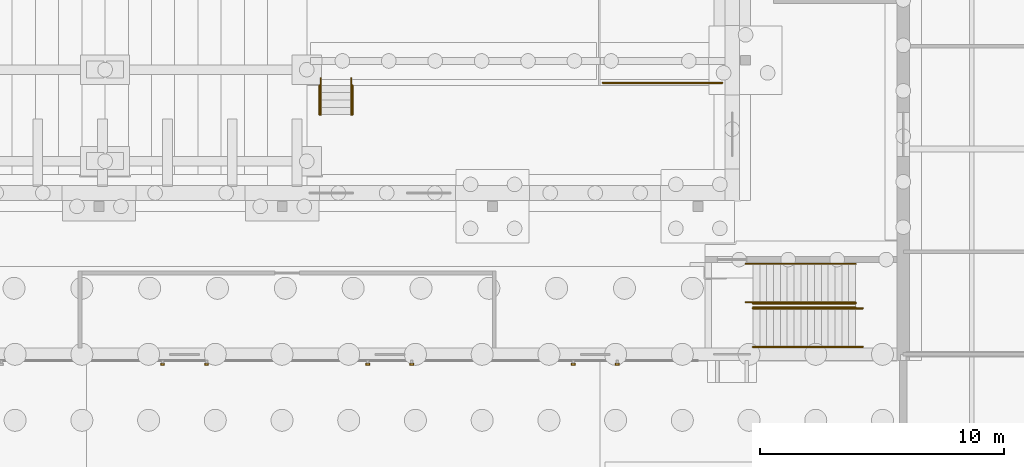
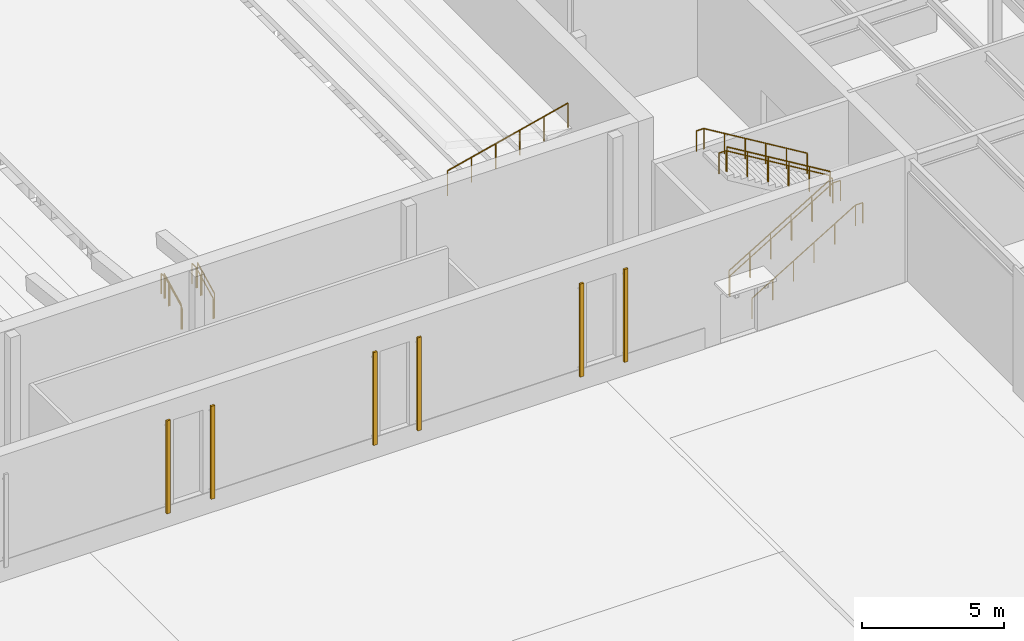
# One storey, part 103 of 127: 11 railings, 6 shading devices.
"""IFC4 building model written with IfcOpenShell, lengths in metres."""

from ifc_helpers import new_model, si_unit, direction, frame, origin, origin_2d, place, context, subcontext, project, spatial, rectangle, circle, extrude, material, type_object, element, save


model = new_model("IFC4")

# Units and contexts
model_context = context("Model", 3, precision=1e-05, world=origin(), true_north=direction((0.0, 1.0)))
body_context = subcontext(model_context, "Body", "Model", "MODEL_VIEW")
ifc_project = project(units=[si_unit("LENGTHUNIT", "METRE"), si_unit("AREAUNIT", "SQUARE_METRE"), si_unit("VOLUMEUNIT", "CUBIC_METRE"), si_unit("PLANEANGLEUNIT", "RADIAN"), si_unit("MASSUNIT", "GRAM", prefix="KILO")], contexts=[model_context])

# Site, building, storey
site_placement = place(None, origin())
site = spatial("IfcSite", under=ifc_project, at=site_placement, CompositionType="ELEMENT")
building_placement = place(site_placement, origin())
building = spatial("IfcBuilding", under=site, at=building_placement, Name="Ljudholm Concert House", CompositionType="ELEMENT")
storey_placement = place(building_placement, origin())
storey = spatial("IfcBuildingStorey", under=building, at=storey_placement, Name="L00", CompositionType="ELEMENT", Elevation=0.0)

# Shading devices
ifc_material_1 = material(Name="Aluminium extrusion with timber-grain PVDF finish", Category="aluminium")
shading_device_type = type_object("IfcShadingDeviceType", Name="FACADE FIN 80x160", PredefinedType="SHUTTER", material=ifc_material_1)
for number, where, z_axis, x_axis, name in (
    (1, (66.10009765625, 53.989990234375, 0.699951171875), (0.0, 0.0, 1.0), (0.0, -1.0, 0.0), "Facade fin"),
    (2, (67.89990234375, 53.989990234375, 0.699951171875), (0.0, 0.0, 1.0), (0.0, -1.0, 0.0), "Facade fin"),
    (3, (74.5, 53.989990234375, 0.699951171875), (0.0, 0.0, 1.0), (0.0, -1.0, 0.0), "Facade fin"),
    (4, (76.300048828125, 53.989990234375, 0.699951171875), (0.0, 0.0, 1.0), (0.0, -1.0, 0.0), "Facade fin"),
    (5, (82.89990234375, 53.989990234375, 0.699951171875), (0.0, 0.0, 1.0), (0.0, -1.0, 0.0), "Facade fin"),
    (6, (84.699951171875, 53.989990234375, 0.699951171875), (0.0, 0.0, 1.0), (0.0, -1.0, 0.0), "Facade fin"),
):
    element("IfcShadingDevice", number, at=place(storey_placement, frame(where, z_axis=z_axis, x_axis=x_axis)), inside=storey, type_object=shading_device_type, Name=name, PredefinedType="SHUTTER", context=body_context, shape_type="SweptSolid", body=[
        extrude(rectangle(XDim=0.080078125, YDim=0.159912109375, at=origin_2d()), origin(), (0.0, 0.0, 1.0), 4.0),
    ])

# Railings
ifc_material_2 = material(Name="Steel ASTM A36", Category="steel")
railing_type_1 = type_object("IfcRailingType", Name="GUARD 1100", PredefinedType="GUARDRAIL", material=ifc_material_2)
railing_1_placement = place(storey_placement, frame((90.25, 56.324951171875, 0.168701171875)))
element("IfcRailing", 7, at=railing_1_placement, inside=storey, type_object=railing_type_1, Name="Guard", PredefinedType="GUARDRAIL", context=body_context, shape_type="SweptSolid", body=[
    extrude(circle(Radius=0.02490234375, at=origin_2d()), frame((0.0, 0.0, 1.0751953125), z_axis=(0.856459004192, 0.0, 0.516215046409), x_axis=(0.0, 1.0, 0.0)), (0.0, 0.0, 1.0), 0.98095703125),
    extrude(circle(Radius=0.02490234375, at=origin_2d()), frame((0.840087890625, 0.0, 1.58154296875), z_axis=(0.856502732318, 0.0, 0.516142489563), x_axis=(0.0, 1.0, 0.0)), (0.0, 0.0, 1.0), 0.98046875),
    extrude(circle(Radius=0.02490234375, at=origin_2d()), frame((1.679931640625, 0.0, 2.08740234375), z_axis=(0.856459004192, 0.0, 0.516215046409), x_axis=(0.0, 1.0, 0.0)), (0.0, 0.0, 1.0), 0.98095703125),
    extrude(circle(Radius=0.02490234375, at=origin_2d()), frame((2.52001953125, 0.0, 2.59375), z_axis=(0.856459004192, 0.0, 0.516215046409), x_axis=(0.0, 1.0, 0.0)), (0.0, 0.0, 1.0), 0.98095703125),
    extrude(circle(Radius=0.02490234375, at=origin_2d()), frame((3.360107421875, 0.0, 3.10009765625), z_axis=(0.856502732318, 0.0, 0.516142489563), x_axis=(0.0, 1.0, 0.0)), (0.0, 0.0, 1.0), 0.98046875),
    extrude(circle(Radius=0.02099609375, at=origin_2d()), origin(), (0.0, 0.0, 1.0), 1.050048828125),
    extrude(circle(Radius=0.02099609375, at=origin_2d()), frame((0.840087890625, 0.0, 0.50634765625)), (0.0, 0.0, 1.0), 1.050048828125),
    extrude(circle(Radius=0.02099609375, at=origin_2d()), frame((1.679931640625, 0.0, 1.012451171875)), (0.0, 0.0, 1.0), 1.050048828125),
    extrude(circle(Radius=0.02099609375, at=origin_2d()), frame((2.52001953125, 0.0, 1.518798828125)), (0.0, 0.0, 1.0), 1.050048828125),
    extrude(circle(Radius=0.02099609375, at=origin_2d()), frame((3.360107421875, 0.0, 2.025146484375)), (0.0, 0.0, 1.0), 1.050048828125),
    extrude(circle(Radius=0.02099609375, at=origin_2d()), frame((4.199951171875, 0.0, 2.53125)), (0.0, 0.0, 1.0), 1.050048828125),
])
railing_2_placement = place(storey_placement, frame((94.449951171875, 56.47509765625, 2.86865234375)))
element("IfcRailing", 8, at=railing_2_placement, inside=storey, type_object=railing_type_1, Name="Guard", PredefinedType="GUARDRAIL", context=body_context, shape_type="SweptSolid", body=[
    extrude(circle(Radius=0.02490234375, at=origin_2d()), frame((0.0, 0.0, 1.0751953125), z_axis=(-0.856392657067, 0.0, 0.516325107778), x_axis=(0.0, -1.0, 0.0)), (0.0, 0.0, 1.0), 0.980712890625),
    extrude(circle(Radius=0.02490234375, at=origin_2d()), frame((-0.83984375, 0.0, 1.58154296875), z_axis=(-0.856459004192, 0.0, 0.516215046409), x_axis=(0.0, -1.0, 0.0)), (0.0, 0.0, 1.0), 0.98095703125),
    extrude(circle(Radius=0.02490234375, at=origin_2d()), frame((-1.679931640625, 0.0, 2.087890625), z_axis=(-0.856569041035, 0.0, 0.516032438845), x_axis=(0.0, -1.0, 0.0)), (0.0, 0.0, 1.0), 0.980712890625),
    extrude(circle(Radius=0.02490234375, at=origin_2d()), frame((-2.52001953125, 0.0, 2.59375), z_axis=(-0.856392657067, 0.0, 0.516325107778), x_axis=(0.0, -1.0, 0.0)), (0.0, 0.0, 1.0), 0.980712890625),
    extrude(circle(Radius=0.02490234375, at=origin_2d()), frame((-3.35986328125, 0.0, 3.10009765625), z_axis=(-0.856569041035, 0.0, 0.516032438845), x_axis=(0.0, -1.0, 0.0)), (0.0, 0.0, 1.0), 0.980712890625),
    extrude(circle(Radius=0.02099609375, at=origin_2d()), origin(), (0.0, 0.0, 1.0), 1.050048828125),
    extrude(circle(Radius=0.02099609375, at=origin_2d()), frame((-0.83984375, 0.0, 0.50634765625)), (0.0, 0.0, 1.0), 1.050048828125),
    extrude(circle(Radius=0.02099609375, at=origin_2d()), frame((-1.679931640625, 0.0, 1.0126953125)), (0.0, 0.0, 1.0), 1.050048828125),
    extrude(circle(Radius=0.02099609375, at=origin_2d()), frame((-2.52001953125, 0.0, 1.518798828125)), (0.0, 0.0, 1.0), 1.050048828125),
    extrude(circle(Radius=0.02099609375, at=origin_2d()), frame((-3.35986328125, 0.0, 2.025146484375)), (0.0, 0.0, 1.0), 1.050048828125),
    extrude(circle(Radius=0.02099609375, at=origin_2d()), frame((-4.199951171875, 0.0, 2.53125)), (0.0, 0.0, 1.0), 1.050048828125),
])
railing_3_placement = place(storey_placement, frame((84.10009765625, 65.5, 1.050048828125)))
element("IfcRailing", 9, at=railing_3_placement, inside=storey, type_object=railing_type_1, Name="Choir seating guard", PredefinedType="GUARDRAIL", context=body_context, shape_type="SweptSolid", body=[
    extrude(circle(Radius=0.02490234375, at=origin_2d()), frame((0.0, 0.0, 1.0751953125), z_axis=(0.971298452577, 0.0, 0.237864070474), x_axis=(0.0, 1.0, 0.0)), (0.0, 0.0, 1.0), 5.044677734375),
    extrude(circle(Radius=0.02099609375, at=origin_2d()), origin(), (0.0, 0.0, 1.0), 1.050048828125),
    extrude(circle(Radius=0.02099609375, at=origin_2d()), frame((0.97998046875, 0.0, 0.239990234375)), (0.0, 0.0, 1.0), 1.050048828125),
    extrude(circle(Radius=0.02099609375, at=origin_2d()), frame((1.9599609375, 0.0, 0.47998046875)), (0.0, 0.0, 1.0), 1.050048828125),
    extrude(circle(Radius=0.02099609375, at=origin_2d()), frame((2.93994140625, 0.0, 0.719970703125)), (0.0, 0.0, 1.0), 1.050048828125),
    extrude(circle(Radius=0.02099609375, at=origin_2d()), frame((3.919921875, 0.0, 0.9599609375)), (0.0, 0.0, 1.0), 1.050048828125),
    extrude(circle(Radius=0.02099609375, at=origin_2d()), frame((4.89990234375, 0.0, 1.199951171875)), (0.0, 0.0, 1.0), 1.050048828125),
])
for number, where, name in (
    (10, (72.52490234375, 64.199951171875, 0.14990234375), "Guard"),
    (11, (73.875, 64.199951171875, 0.14990234375), "Guard"),
):
    element("IfcRailing", number, at=place(storey_placement, frame(where)), inside=storey, type_object=railing_type_1, Name=name, PredefinedType="GUARDRAIL", context=body_context, shape_type="SweptSolid", body=[
        extrude(circle(Radius=0.02490234375, at=origin_2d()), frame((0.0, 0.0, 1.0751953125), z_axis=(0.0, 0.894378670485, 0.447310623372), x_axis=(-1.0, 0.0, 0.0)), (0.0, 0.0, 1.0), 1.00634765625),
        extrude(circle(Radius=0.02490234375, at=origin_2d()), frame((0.0, 0.900146484375, 1.525390625), z_axis=(0.0, 0.894427191, 0.4472135955), x_axis=(-1.0, 0.0, 0.0)), (0.0, 0.0, 1.0), 0.335205078125),
        extrude(circle(Radius=0.02099609375, at=origin_2d()), origin(), (0.0, 0.0, 1.0), 1.050048828125),
        extrude(circle(Radius=0.02099609375, at=origin_2d()), frame((0.0, 0.900146484375, 0.4501953125)), (0.0, 0.0, 1.0), 1.050048828125),
        extrude(circle(Radius=0.02099609375, at=origin_2d()), frame((0.0, 1.199951171875, 0.60009765625)), (0.0, 0.0, 1.0), 1.050048828125),
    ])
ifc_material_3 = material(Name="Steel ASTM A36", Category="steel")
railing_type_2 = type_object("IfcRailingType", Name="HANDRAIL 900", PredefinedType="HANDRAIL", material=ifc_material_3)
railing_4_placement = place(storey_placement, frame((90.25, 56.27490234375, 0.168701171875)))
element("IfcRailing", 12, at=railing_4_placement, inside=storey, type_object=railing_type_2, Name="Handrail", PredefinedType="HANDRAIL", context=body_context, shape_type="SweptSolid", body=[
    extrude(circle(Radius=0.0224609375, at=origin_2d()), frame((0.0, 0.0, 0.87744140625), z_axis=(0.856459004192, 0.0, 0.516215046409), x_axis=(0.0, 1.0, 0.0)), (0.0, 0.0, 1.0), 0.98095703125),
    extrude(circle(Radius=0.0224609375, at=origin_2d()), frame((0.840087890625, 0.0, 1.3837890625), z_axis=(0.856502732318, 0.0, 0.516142489563), x_axis=(0.0, 1.0, 0.0)), (0.0, 0.0, 1.0), 0.98046875),
    extrude(circle(Radius=0.0224609375, at=origin_2d()), frame((1.679931640625, 0.0, 1.889892578125), z_axis=(0.856459004192, 0.0, 0.516215046409), x_axis=(0.0, 1.0, 0.0)), (0.0, 0.0, 1.0), 0.98095703125),
    extrude(circle(Radius=0.0224609375, at=origin_2d()), frame((2.52001953125, 0.0, 2.396240234375), z_axis=(0.856459004192, 0.0, 0.516215046409), x_axis=(0.0, 1.0, 0.0)), (0.0, 0.0, 1.0), 0.98095703125),
    extrude(circle(Radius=0.0224609375, at=origin_2d()), frame((3.360107421875, 0.0, 2.902587890625), z_axis=(0.856502732318, 0.0, 0.516142489563), x_axis=(0.0, 1.0, 0.0)), (0.0, 0.0, 1.0), 0.98046875),
    extrude(circle(Radius=0.0224609375, at=origin_2d()), frame((4.199951171875, 0.0, 3.40869140625), z_axis=(1.0, 0.0, 0.0), x_axis=(0.0, 1.0, 0.0)), (0.0, 0.0, 1.0), 0.300048828125),
    extrude(circle(Radius=0.02099609375, at=origin_2d()), origin(), (0.0, 0.0, 1.0), 0.85498046875),
    extrude(circle(Radius=0.02099609375, at=origin_2d()), frame((0.840087890625, 0.0, 0.50634765625)), (0.0, 0.0, 1.0), 0.85498046875),
    extrude(circle(Radius=0.02099609375, at=origin_2d()), frame((1.679931640625, 0.0, 1.012451171875)), (0.0, 0.0, 1.0), 0.85498046875),
    extrude(circle(Radius=0.02099609375, at=origin_2d()), frame((2.52001953125, 0.0, 1.518798828125)), (0.0, 0.0, 1.0), 0.85498046875),
    extrude(circle(Radius=0.02099609375, at=origin_2d()), frame((3.360107421875, 0.0, 2.025146484375)), (0.0, 0.0, 1.0), 0.85498046875),
    extrude(circle(Radius=0.02099609375, at=origin_2d()), frame((4.199951171875, 0.0, 2.53125)), (0.0, 0.0, 1.0), 0.85498046875),
    extrude(circle(Radius=0.02099609375, at=origin_2d()), frame((4.5, 0.0, 2.53125)), (0.0, 0.0, 1.0), 0.85498046875),
])
railing_5_placement = place(storey_placement, frame((90.25, 54.699951171875, 0.168701171875)))
element("IfcRailing", 13, at=railing_5_placement, inside=storey, type_object=railing_type_2, Name="Handrail", PredefinedType="HANDRAIL", context=body_context, shape_type="SweptSolid", body=[
    extrude(circle(Radius=0.0224609375, at=origin_2d()), frame((0.0, 0.0, 0.87744140625), z_axis=(0.856459004192, 0.0, 0.516215046409), x_axis=(0.0, 1.0, 0.0)), (0.0, 0.0, 1.0), 0.98095703125),
    extrude(circle(Radius=0.0224609375, at=origin_2d()), frame((0.840087890625, 0.0, 1.3837890625), z_axis=(0.856502732318, 0.0, 0.516142489563), x_axis=(0.0, 1.0, 0.0)), (0.0, 0.0, 1.0), 0.98046875),
    extrude(circle(Radius=0.0224609375, at=origin_2d()), frame((1.679931640625, 0.0, 1.889892578125), z_axis=(0.856459004192, 0.0, 0.516215046409), x_axis=(0.0, 1.0, 0.0)), (0.0, 0.0, 1.0), 0.98095703125),
    extrude(circle(Radius=0.0224609375, at=origin_2d()), frame((2.52001953125, 0.0, 2.396240234375), z_axis=(0.856459004192, 0.0, 0.516215046409), x_axis=(0.0, 1.0, 0.0)), (0.0, 0.0, 1.0), 0.98095703125),
    extrude(circle(Radius=0.0224609375, at=origin_2d()), frame((3.360107421875, 0.0, 2.902587890625), z_axis=(0.856502732318, 0.0, 0.516142489563), x_axis=(0.0, 1.0, 0.0)), (0.0, 0.0, 1.0), 0.98046875),
    extrude(circle(Radius=0.0224609375, at=origin_2d()), frame((4.199951171875, 0.0, 3.40869140625), z_axis=(1.0, 0.0, 0.0), x_axis=(0.0, 1.0, 0.0)), (0.0, 0.0, 1.0), 0.300048828125),
    extrude(circle(Radius=0.02099609375, at=origin_2d()), origin(), (0.0, 0.0, 1.0), 0.85498046875),
    extrude(circle(Radius=0.02099609375, at=origin_2d()), frame((0.840087890625, 0.0, 0.50634765625)), (0.0, 0.0, 1.0), 0.85498046875),
    extrude(circle(Radius=0.02099609375, at=origin_2d()), frame((1.679931640625, 0.0, 1.012451171875)), (0.0, 0.0, 1.0), 0.85498046875),
    extrude(circle(Radius=0.02099609375, at=origin_2d()), frame((2.52001953125, 0.0, 1.518798828125)), (0.0, 0.0, 1.0), 0.85498046875),
    extrude(circle(Radius=0.02099609375, at=origin_2d()), frame((3.360107421875, 0.0, 2.025146484375)), (0.0, 0.0, 1.0), 0.85498046875),
    extrude(circle(Radius=0.02099609375, at=origin_2d()), frame((4.199951171875, 0.0, 2.53125)), (0.0, 0.0, 1.0), 0.85498046875),
    extrude(circle(Radius=0.02099609375, at=origin_2d()), frame((4.5, 0.0, 2.53125)), (0.0, 0.0, 1.0), 0.85498046875),
])
railing_6_placement = place(storey_placement, frame((94.449951171875, 56.52490234375, 2.86865234375)))
element("IfcRailing", 14, at=railing_6_placement, inside=storey, type_object=railing_type_2, Name="Handrail", PredefinedType="HANDRAIL", context=body_context, shape_type="SweptSolid", body=[
    extrude(circle(Radius=0.0224609375, at=origin_2d()), frame((0.0, 0.0, 0.87744140625), z_axis=(-0.856392657067, 0.0, 0.516325107778), x_axis=(0.0, -1.0, 0.0)), (0.0, 0.0, 1.0), 0.980712890625),
    extrude(circle(Radius=0.0224609375, at=origin_2d()), frame((-0.83984375, 0.0, 1.3837890625), z_axis=(-0.856459004192, 0.0, 0.516215046409), x_axis=(0.0, -1.0, 0.0)), (0.0, 0.0, 1.0), 0.98095703125),
    extrude(circle(Radius=0.0224609375, at=origin_2d()), frame((-1.679931640625, 0.0, 1.89013671875), z_axis=(-0.856569041035, 0.0, 0.516032438845), x_axis=(0.0, -1.0, 0.0)), (0.0, 0.0, 1.0), 0.980712890625),
    extrude(circle(Radius=0.0224609375, at=origin_2d()), frame((-2.52001953125, 0.0, 2.396240234375), z_axis=(-0.856392657067, 0.0, 0.516325107778), x_axis=(0.0, -1.0, 0.0)), (0.0, 0.0, 1.0), 0.980712890625),
    extrude(circle(Radius=0.0224609375, at=origin_2d()), frame((-3.35986328125, 0.0, 2.902587890625), z_axis=(-0.856569041035, 0.0, 0.516032438845), x_axis=(0.0, -1.0, 0.0)), (0.0, 0.0, 1.0), 0.980712890625),
    extrude(circle(Radius=0.0224609375, at=origin_2d()), frame((-4.199951171875, 0.0, 3.40869140625), z_axis=(-1.0, 0.0, 0.0), x_axis=(0.0, -1.0, 0.0)), (0.0, 0.0, 1.0), 0.300048828125),
    extrude(circle(Radius=0.02099609375, at=origin_2d()), origin(), (0.0, 0.0, 1.0), 0.85498046875),
    extrude(circle(Radius=0.02099609375, at=origin_2d()), frame((-0.83984375, 0.0, 0.50634765625)), (0.0, 0.0, 1.0), 0.85498046875),
    extrude(circle(Radius=0.02099609375, at=origin_2d()), frame((-1.679931640625, 0.0, 1.0126953125)), (0.0, 0.0, 1.0), 0.85498046875),
    extrude(circle(Radius=0.02099609375, at=origin_2d()), frame((-2.52001953125, 0.0, 1.518798828125)), (0.0, 0.0, 1.0), 0.85498046875),
    extrude(circle(Radius=0.02099609375, at=origin_2d()), frame((-3.35986328125, 0.0, 2.025146484375)), (0.0, 0.0, 1.0), 0.85498046875),
    extrude(circle(Radius=0.02099609375, at=origin_2d()), frame((-4.199951171875, 0.0, 2.53125)), (0.0, 0.0, 1.0), 0.85498046875),
    extrude(circle(Radius=0.02099609375, at=origin_2d()), frame((-4.5, 0.0, 2.53125)), (0.0, 0.0, 1.0), 0.85498046875),
])
railing_7_placement = place(storey_placement, frame((94.449951171875, 58.10009765625, 2.86865234375)))
element("IfcRailing", 15, at=railing_7_placement, inside=storey, type_object=railing_type_2, Name="Handrail", PredefinedType="HANDRAIL", context=body_context, shape_type="SweptSolid", body=[
    extrude(circle(Radius=0.0224609375, at=origin_2d()), frame((0.0, 0.0, 0.87744140625), z_axis=(-0.856392657067, 0.0, 0.516325107778), x_axis=(0.0, -1.0, 0.0)), (0.0, 0.0, 1.0), 0.980712890625),
    extrude(circle(Radius=0.0224609375, at=origin_2d()), frame((-0.83984375, 0.0, 1.3837890625), z_axis=(-0.856459004192, 0.0, 0.516215046409), x_axis=(0.0, -1.0, 0.0)), (0.0, 0.0, 1.0), 0.98095703125),
    extrude(circle(Radius=0.0224609375, at=origin_2d()), frame((-1.679931640625, 0.0, 1.89013671875), z_axis=(-0.856569041035, 0.0, 0.516032438845), x_axis=(0.0, -1.0, 0.0)), (0.0, 0.0, 1.0), 0.980712890625),
    extrude(circle(Radius=0.0224609375, at=origin_2d()), frame((-2.52001953125, 0.0, 2.396240234375), z_axis=(-0.856392657067, 0.0, 0.516325107778), x_axis=(0.0, -1.0, 0.0)), (0.0, 0.0, 1.0), 0.980712890625),
    extrude(circle(Radius=0.0224609375, at=origin_2d()), frame((-3.35986328125, 0.0, 2.902587890625), z_axis=(-0.856569041035, 0.0, 0.516032438845), x_axis=(0.0, -1.0, 0.0)), (0.0, 0.0, 1.0), 0.980712890625),
    extrude(circle(Radius=0.0224609375, at=origin_2d()), frame((-4.199951171875, 0.0, 3.40869140625), z_axis=(-1.0, 0.0, 0.0), x_axis=(0.0, -1.0, 0.0)), (0.0, 0.0, 1.0), 0.300048828125),
    extrude(circle(Radius=0.02099609375, at=origin_2d()), origin(), (0.0, 0.0, 1.0), 0.85498046875),
    extrude(circle(Radius=0.02099609375, at=origin_2d()), frame((-0.83984375, 0.0, 0.50634765625)), (0.0, 0.0, 1.0), 0.85498046875),
    extrude(circle(Radius=0.02099609375, at=origin_2d()), frame((-1.679931640625, 0.0, 1.0126953125)), (0.0, 0.0, 1.0), 0.85498046875),
    extrude(circle(Radius=0.02099609375, at=origin_2d()), frame((-2.52001953125, 0.0, 1.518798828125)), (0.0, 0.0, 1.0), 0.85498046875),
    extrude(circle(Radius=0.02099609375, at=origin_2d()), frame((-3.35986328125, 0.0, 2.025146484375)), (0.0, 0.0, 1.0), 0.85498046875),
    extrude(circle(Radius=0.02099609375, at=origin_2d()), frame((-4.199951171875, 0.0, 2.53125)), (0.0, 0.0, 1.0), 0.85498046875),
    extrude(circle(Radius=0.02099609375, at=origin_2d()), frame((-4.5, 0.0, 2.53125)), (0.0, 0.0, 1.0), 0.85498046875),
])
for number, where, name in (
    (16, (72.574951171875, 64.199951171875, 0.14990234375), "Handrail"),
    (17, (73.824951171875, 64.199951171875, 0.14990234375), "Handrail"),
):
    element("IfcRailing", number, at=place(storey_placement, frame(where)), inside=storey, type_object=railing_type_2, Name=name, PredefinedType="HANDRAIL", context=body_context, shape_type="SweptSolid", body=[
        extrude(circle(Radius=0.0224609375, at=origin_2d()), frame((0.0, 0.0, 0.87744140625), z_axis=(0.0, 0.894378670485, 0.447310623372), x_axis=(-1.0, 0.0, 0.0)), (0.0, 0.0, 1.0), 1.00634765625),
        extrude(circle(Radius=0.0224609375, at=origin_2d()), frame((0.0, 0.900146484375, 1.32763671875), z_axis=(0.0, 0.894427191, 0.4472135955), x_axis=(-1.0, 0.0, 0.0)), (0.0, 0.0, 1.0), 0.335205078125),
        extrude(circle(Radius=0.0224609375, at=origin_2d()), frame((0.0, 1.199951171875, 1.4775390625), z_axis=(0.0, 1.0, 0.0), x_axis=(-1.0, 0.0, 0.0)), (0.0, 0.0, 1.0), 0.300048828125),
        extrude(circle(Radius=0.02099609375, at=origin_2d()), origin(), (0.0, 0.0, 1.0), 0.85498046875),
        extrude(circle(Radius=0.02099609375, at=origin_2d()), frame((0.0, 0.900146484375, 0.4501953125)), (0.0, 0.0, 1.0), 0.85498046875),
        extrude(circle(Radius=0.02099609375, at=origin_2d()), frame((0.0, 1.199951171875, 0.60009765625)), (0.0, 0.0, 1.0), 0.85498046875),
        extrude(circle(Radius=0.02099609375, at=origin_2d()), frame((0.0, 1.5, 0.60009765625)), (0.0, 0.0, 1.0), 0.85498046875),
    ])

save(model, "model.ifc")
